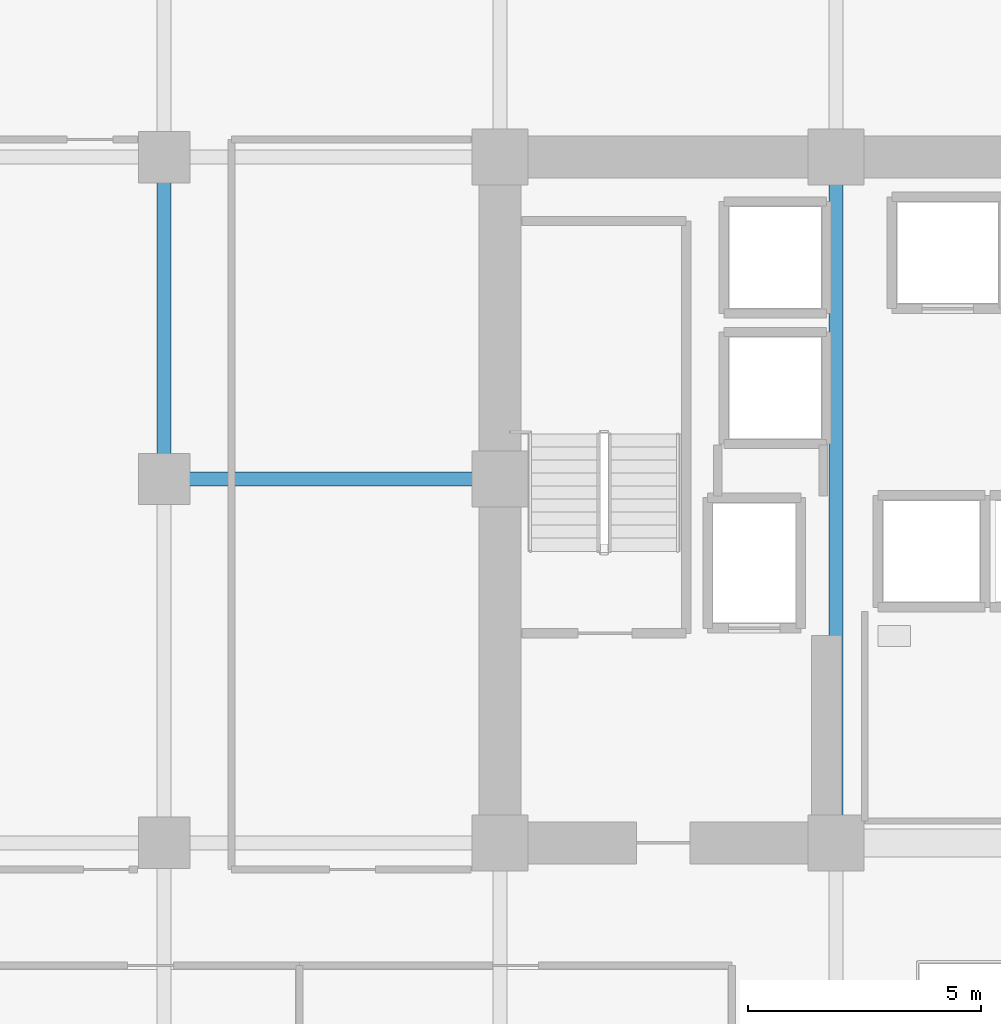
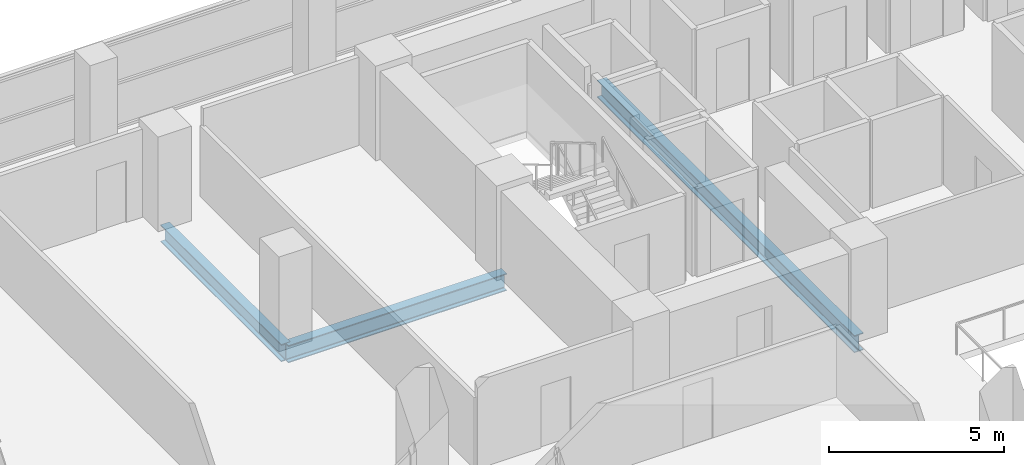
# One storey, part 11 of 29: 3 beams.
"""IFC4 building model written with IfcOpenShell, lengths in metres."""

import ifcopenshell
import ifcopenshell.guid

model = None  # the IFC model being written
_history = None  # IfcOwnerHistory: only IFC2X3 demands one
_inside = {}  # id of a spatial element -> (the spatial element, [elements in it])
_under = {}  # id of a project, library or spatial element -> (it, [spatial elements below it])
_declared = {}  # id of a project -> (the project, [libraries it declares])
_typed = {}  # id of a type object -> (the type object, [elements of that type])
_made_of = {}  # id of a material, layer set ... -> (it, [elements and type objects made of it])


def new_model(schema):
    """Start an empty IFC model of exactly this schema.

    Asked for "IFC4X3", IfcOpenShell would pick the latest addendum, in which some entities
    have other attributes; the version numbers below select the first issue.
    IFC2X3 requires an IfcOwnerHistory on every rooted entity: one is made here for all.
    """
    global model, _history
    if schema == "IFC4X3":
        model = ifcopenshell.file(schema_version=(4, 3, 0, 0))
    else:
        model = ifcopenshell.file(schema=schema)
    _inside.clear()
    _under.clear()
    _declared.clear()
    _typed.clear()
    _made_of.clear()
    _history = None
    if model.schema == "IFC2X3":
        org = make("IfcOrganization", Name="unknown")
        user = make(
            "IfcPersonAndOrganization",
            ThePerson=make("IfcPerson", FamilyName="unknown"),
            TheOrganization=org,
        )
        app = make(
            "IfcApplication",
            ApplicationDeveloper=org,
            Version="unknown",
            ApplicationFullName="unknown",
            ApplicationIdentifier="unknown",
        )
        _history = make(
            "IfcOwnerHistory",
            OwningUser=user,
            OwningApplication=app,
            ChangeAction="ADDED",
            CreationDate=0,
        )
    return model


def make(cls, **values):
    """One entity of the class cls with the attributes given. An attribute that is None is left unset."""
    return model.create_entity(
        cls, **{name: value for name, value in values.items() if value is not None}
    )


def rooted(cls, **values):
    """An entity with a GlobalId (a new one), such as an element, a storey or a relation."""
    return make(cls, GlobalId=ifcopenshell.guid.new(), OwnerHistory=_history, **values)


def si_unit(unit_type, name, prefix=None):
    """IfcSIUnit, for example si_unit("LENGTHUNIT", "METRE", prefix="MILLI")."""
    return make("IfcSIUnit", UnitType=unit_type, Prefix=prefix, Name=name)


def assignment(units):
    """IfcUnitAssignment: the units of a project."""
    return None if units is None else make("IfcUnitAssignment", Units=units)


def point(xyz):
    """IfcCartesianPoint."""
    return None if xyz is None else make("IfcCartesianPoint", Coordinates=xyz)


def direction(xyz):
    """IfcDirection."""
    return None if xyz is None else make("IfcDirection", DirectionRatios=xyz)


def frame(location, z_axis=None, x_axis=None):
    """IfcAxis2Placement3D, a coordinate frame: its origin and axes. An axis left out is left unset."""
    return make(
        "IfcAxis2Placement3D",
        Location=point(location),
        Axis=direction(z_axis),
        RefDirection=direction(x_axis),
    )


def frame_2d(location, x_axis=None):
    """IfcAxis2Placement2D, a coordinate frame in the plane: its origin and x axis."""
    return make(
        "IfcAxis2Placement2D", Location=point(location), RefDirection=direction(x_axis)
    )


def origin():
    """The frame at (0, 0, 0) with its axes left unset."""
    return frame((0.0, 0.0, 0.0))


def origin_2d():
    """The frame at (0, 0) in the plane with its x axis left unset."""
    return frame_2d((0.0, 0.0))


def place(relative_to, where):
    """IfcLocalPlacement: puts the frame where relative to a parent placement (None: the world)."""
    return make(
        "IfcLocalPlacement", PlacementRelTo=relative_to, RelativePlacement=where
    )


def context(
    kind, dimensions, precision=None, world=None, true_north=None, identifier=None
):
    """IfcGeometricRepresentationContext, for example the 3D "Model" context."""
    return make(
        "IfcGeometricRepresentationContext",
        ContextIdentifier=identifier,
        ContextType=kind,
        CoordinateSpaceDimension=dimensions,
        Precision=precision,
        WorldCoordinateSystem=world,
        TrueNorth=true_north,
    )


def subcontext(parent, identifier, kind, view, scale=None):
    """IfcGeometricRepresentationSubContext, for example "Body" below "Model"."""
    return make(
        "IfcGeometricRepresentationSubContext",
        ContextIdentifier=identifier,
        ContextType=kind,
        ParentContext=parent,
        TargetScale=scale,
        TargetView=view,
    )


def project(units=None, contexts=None):
    """IfcProject with its units and contexts."""
    return rooted(
        "IfcProject",
        Name="project",
        RepresentationContexts=contexts,
        UnitsInContext=assignment(units),
    )


def spatial(cls, under=None, at=None, **own):
    """A site, building, storey or space (cls), placed at a placement, below another one or the project."""
    s = rooted(cls, ObjectPlacement=at, **own)
    if under is not None:
        _under.setdefault(under.id(), (under, []))[1].append(s)
    return s


def profile(cls, at=None, kind="AREA", **sizes):
    """A parametric profile (cls). Its sizes go by their IFC names, for example OverallWidth=200.0."""
    return make(cls, ProfileType=kind, Position=at, **sizes)


def i_section(**sizes):
    """IfcIShapeProfileDef."""
    return profile("IfcIShapeProfileDef", **sizes)


def extrude(swept, where, along, depth):
    """IfcExtrudedAreaSolid: the profile swept, set in the frame where, extruded along a direction by depth."""
    return make(
        "IfcExtrudedAreaSolid",
        SweptArea=swept,
        Position=where,
        ExtrudedDirection=direction(along),
        Depth=depth,
    )


def shape(context_of_items, identifier, shape_type, items):
    """IfcShapeRepresentation: the items that make up one representation, for example the "Body"."""
    return make(
        "IfcShapeRepresentation",
        ContextOfItems=context_of_items,
        RepresentationIdentifier=identifier,
        RepresentationType=shape_type,
        Items=items,
    )


def material(Name=None, Category=None):
    """IfcMaterial."""
    return make("IfcMaterial", Name=Name, Category=Category)


def material_profile(
    of_material, cross_section, Name=None, Category=None, Priority=None
):
    """IfcMaterialProfile: a cross section and its material."""
    return make(
        "IfcMaterialProfile",
        Name=Name,
        Material=of_material,
        Profile=cross_section,
        Priority=Priority,
        Category=Category,
    )


def profile_set(profiles, Name=None, composite=None):
    """IfcMaterialProfileSet."""
    return make(
        "IfcMaterialProfileSet",
        Name=Name,
        MaterialProfiles=profiles,
        CompositeProfile=composite,
    )


def made_of(thing, what):
    """Note that an element or type object is made of a material, layer set ...; save() writes the relation."""
    if what is not None:
        _made_of.setdefault(what.id(), (what, []))[1].append(thing)
    return thing


def type_object(cls, material=None, **own):
    """A type object (cls), such as IfcWallType, which elements share."""
    return made_of(rooted(cls, **own), material)


def element(
    cls,
    number,
    at=None,
    inside=None,
    cuts=None,
    type_object=None,
    material=None,
    context=None,
    identifier="Body",
    shape_type=None,
    held_by="IfcProductDefinitionShape",
    body=None,
    shapes=None,
    **own,
):
    """One element of the class cls, such as IfcWall. Its Tag is "e" and its number.

    at: its placement. inside: the storey or other place that contains it. cuts: it is an
    opening in that element (IfcRelVoidsElement). A single representation is given by context,
    identifier, shape_type and body (its items); several are given by shapes. held_by: the class
    of the entity that holds the representations. save() writes the other relations.
    """
    e = rooted(cls, Tag="e%d" % number, ObjectPlacement=at, **own)
    if body is not None:
        shapes = [shape(context, identifier, shape_type, body)]
    if shapes is not None:
        e.Representation = make(held_by, Representations=shapes)
    if inside is not None:
        _inside.setdefault(inside.id(), (inside, []))[1].append(e)
    if cuts is not None:
        rooted(
            "IfcRelVoidsElement", RelatingBuildingElement=cuts, RelatedOpeningElement=e
        )
    if type_object is not None:
        _typed.setdefault(type_object.id(), (type_object, []))[1].append(e)
    return made_of(e, material)


def aggregate(whole, parts):
    """IfcRelAggregates: a whole, such as a stair, and the parts it consists of."""
    return rooted("IfcRelAggregates", RelatingObject=whole, RelatedObjects=parts)


def save(model, path):
    """Write the relations noted so far, then the file.

    IfcRelAggregates (storeys below a building ...), IfcRelContainedInSpatialStructure (elements
    in a storey), IfcRelDefinesByType, IfcRelAssociatesMaterial and IfcRelDeclares: one each for
    every whole, place, type object, material and project.
    """
    for whole, parts in _under.values():
        aggregate(whole, parts)
    for where, things in _inside.values():
        rooted(
            "IfcRelContainedInSpatialStructure",
            RelatedElements=things,
            RelatingStructure=where,
        )
    for kind, things in _typed.values():
        rooted("IfcRelDefinesByType", RelatedObjects=things, RelatingType=kind)
    for what, things in _made_of.values():
        rooted("IfcRelAssociatesMaterial", RelatedObjects=things, RelatingMaterial=what)
    for by, libraries in _declared.values():
        rooted("IfcRelDeclares", RelatingContext=by, RelatedDefinitions=libraries)
    model.write(path)


model = new_model("IFC4")

# Units and contexts
model_context = context("Model", 3, precision=1e-05, world=origin(), true_north=direction((0.0, 1.0)))
body_context = subcontext(model_context, "Body", "Model", "MODEL_VIEW")
ifc_project = project(units=[si_unit("LENGTHUNIT", "METRE"), si_unit("AREAUNIT", "SQUARE_METRE"), si_unit("VOLUMEUNIT", "CUBIC_METRE"), si_unit("PLANEANGLEUNIT", "RADIAN"), si_unit("MASSUNIT", "GRAM", prefix="KILO")], contexts=[model_context])

# Site, building, storey
site_placement = place(None, origin())
site = spatial("IfcSite", under=ifc_project, at=site_placement, CompositionType="ELEMENT")
building_placement = place(site_placement, origin())
building = spatial("IfcBuilding", under=site, at=building_placement, Name="Zarnakvel Exchange Tower", CompositionType="ELEMENT")
storey_placement = place(building_placement, frame((0.0, 0.0, 37.300048828125)))
storey = spatial("IfcBuildingStorey", under=building, at=storey_placement, Name="L09", CompositionType="ELEMENT", Elevation=37.300048828125)

# Beams
ifc_material = material(Name="Steel S355", Category="steel")
ifc_material_profile = material_profile(ifc_material, i_section(OverallWidth=0.300048828125, OverallDepth=0.60009765625, WebThickness=0.015380859375, FlangeThickness=0.030029296875, FilletRadius=0.027099609375, at=origin_2d()))
ifc_profile_set = profile_set([ifc_material_profile], Name="Steel S355")
beam_type = type_object("IfcBeamType", Name="G-04", PredefinedType="BEAM", material=ifc_profile_set)
beam_1_placement = place(storey_placement, frame((-21.60009765625, 6.60009765625, -0.525146484375), z_axis=(1.0, 0.0, 0.0), x_axis=(0.0, 1.0, 0.0)))
element("IfcBeam", 1, at=beam_1_placement, inside=storey, type_object=beam_type, Name="L09 Tower E-W Frame Beam", PredefinedType="BEAM", context=body_context, shape_type="SweptSolid", body=[
    extrude(i_section(OverallWidth=0.300048828125, OverallDepth=0.60009765625, WebThickness=0.015380859375, FlangeThickness=0.030029296875, FilletRadius=0.027099609375, at=origin_2d()), origin(), (0.0, 0.0, 1.0), 7.2001953125),
])
beam_2_placement = place(storey_placement, frame((-21.60009765625, 6.60009765625, -0.525146484375), z_axis=(0.0, 1.0, 0.0), x_axis=(-1.0, 0.0, 0.0)))
element("IfcBeam", 2, at=beam_2_placement, inside=storey, type_object=beam_type, Name="L09 Tower N-S Frame Beam", PredefinedType="BEAM", context=body_context, shape_type="SweptSolid", body=[
    extrude(i_section(OverallWidth=0.300048828125, OverallDepth=0.60009765625, WebThickness=0.015380859375, FlangeThickness=0.030029296875, FilletRadius=0.027099609375, at=origin_2d()), origin(), (0.0, 0.0, 1.0), 6.89990234375),
])
beam_3_placement = place(storey_placement, frame((-7.199951171875, -1.199951171875, -0.525146484375), z_axis=(0.0, 1.0, 0.0), x_axis=(-1.0, 0.0, 0.0)))
element("IfcBeam", 3, at=beam_3_placement, inside=storey, type_object=beam_type, Name="L09 Tower N-S Frame Beam", PredefinedType="BEAM", context=body_context, shape_type="SweptSolid", body=[
    extrude(i_section(OverallWidth=0.300048828125, OverallDepth=0.60009765625, WebThickness=0.015380859375, FlangeThickness=0.030029296875, FilletRadius=0.027099609375, at=origin_2d()), origin(), (0.0, 0.0, 1.0), 14.699951171875),
])

save(model, "model.ifc")
